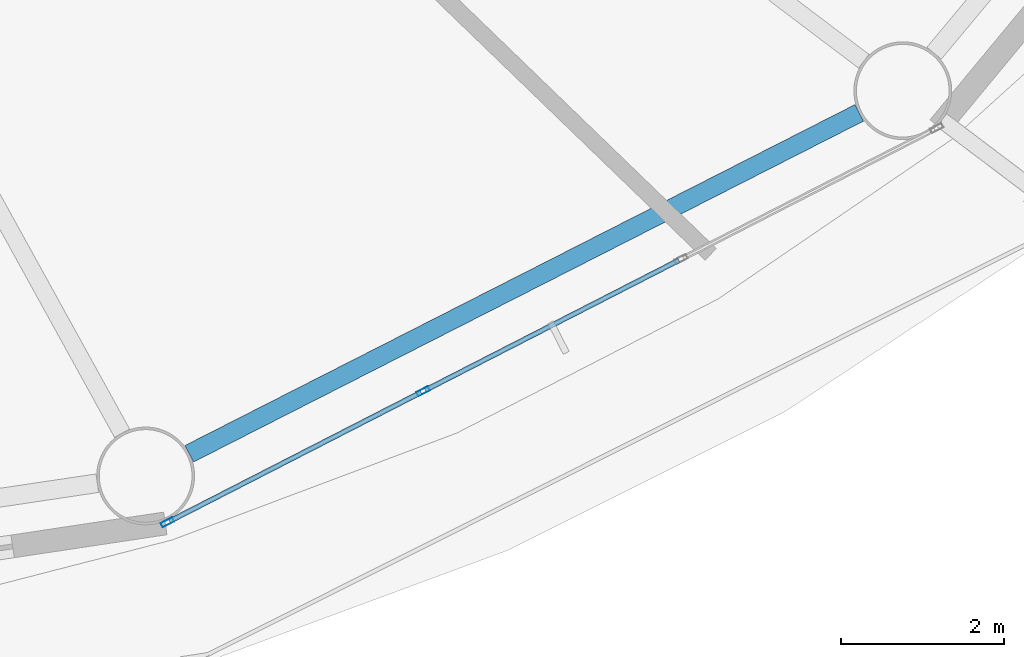
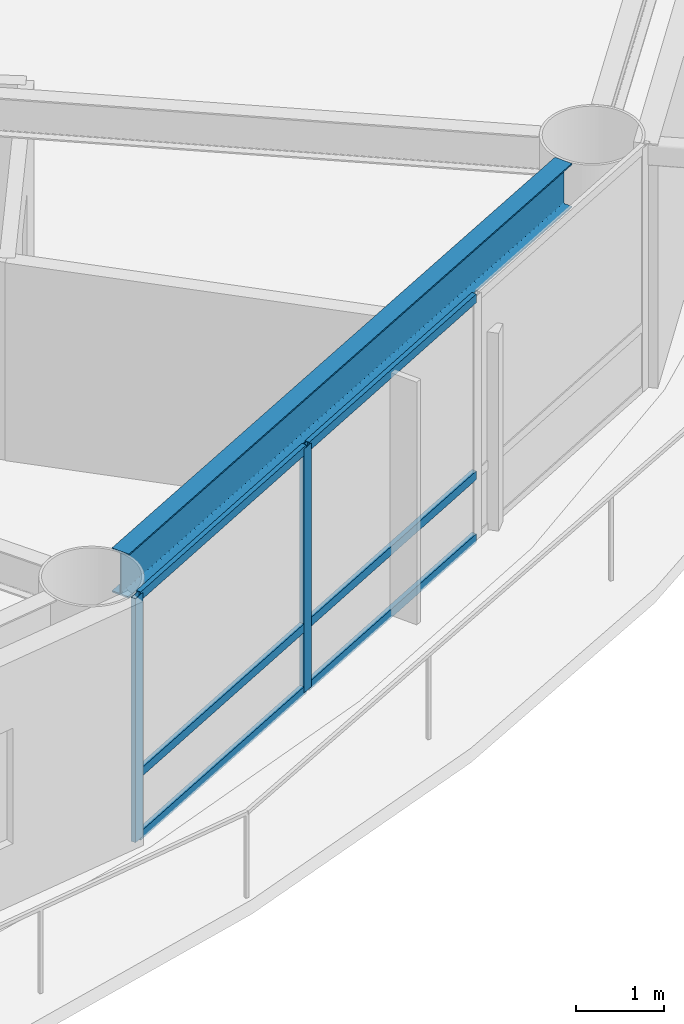
# One storey, part 4 of 24: 8 members, 1 beam, 1 element without a shape of its own.
"""IFC4 building model written with IfcOpenShell, lengths in metres."""

from ifc_helpers import new_model, si_unit, direction, frame, origin, origin_2d, place, context, subcontext, project, spatial, hollow_rectangle, i_section, extrude, material, layer, layer_set, material_profile, profile_set, type_object, element, aggregate, save


model = new_model("IFC4")

# Units and contexts
model_context = context("Model", 3, precision=1e-05, world=origin(), true_north=direction((0.0, 1.0)))
body_context = subcontext(model_context, "Body", "Model", "MODEL_VIEW")
ifc_project = project(units=[si_unit("LENGTHUNIT", "METRE"), si_unit("AREAUNIT", "SQUARE_METRE"), si_unit("VOLUMEUNIT", "CUBIC_METRE"), si_unit("PLANEANGLEUNIT", "RADIAN"), si_unit("MASSUNIT", "GRAM", prefix="KILO")], contexts=[model_context])

# Site, building, storey
site_placement = place(None, origin())
site = spatial("IfcSite", under=ifc_project, at=site_placement, CompositionType="ELEMENT")
building_placement = place(site_placement, origin())
building = spatial("IfcBuilding", under=site, at=building_placement, Name="Sarneth Arch Tower", CompositionType="ELEMENT")
storey_placement = place(building_placement, frame((0.0, 0.0, 102.0)))
storey = spatial("IfcBuildingStorey", under=building, at=storey_placement, Name="L25", CompositionType="ELEMENT", Elevation=102.0)

# Beam
ifc_material_1 = material(Name="Steel S355", Category="steel")
ifc_material_profile_1 = material_profile(ifc_material_1, i_section(OverallWidth=0.22900390625, OverallDepth=0.612060546875, WebThickness=0.011962890625, FlangeThickness=0.01953125, FilletRadius=0.01904296875, at=origin_2d()), Name="W610x125")
ifc_profile_set_1 = profile_set([ifc_material_profile_1], Name="Steel S355")
beam_type = type_object("IfcBeamType", Name="BM-SPAN-610C", PredefinedType="SPANDREL", material=ifc_profile_set_1)
beam_placement = place(storey_placement, frame((59.64501953125, 22.131591796875, 3.073974609375), z_axis=(0.891259443414, 0.453493775619, 0.0), x_axis=(-0.453493775619, 0.891259443414, 0.0)))
element("IfcBeam", 1, at=beam_placement, inside=storey, type_object=beam_type, Name="L25 Perimeter spandrel beam 14", PredefinedType="SPANDREL", context=body_context, shape_type="SweptSolid", body=[
    extrude(i_section(OverallWidth=0.22900390625, OverallDepth=0.612060546875, WebThickness=0.011962890625, FlangeThickness=0.01953125, FilletRadius=0.01904296875, at=origin_2d()), origin(), (0.0, 0.0, 1.0), 9.220458984375),
])

# Curtain wall, members
ifc_material_2 = material(Name="Anodised aluminium Type AA25 and solar-control low-e laminated IGU", Category="aluminium")
ifc_layer = layer(ifc_material_2, 0.159912109375)
ifc_layer_set = layer_set([ifc_layer], Name="Anodised aluminium Type AA25 and solar-control low-e laminated IGU")
curtain_wall_type = type_object("IfcCurtainWallType", Name="CW-HOTEL-MID", PredefinedType="NOTDEFINED", material=ifc_layer_set)
curtain_wall_placement = place(storey_placement, origin())
curtain_wall = element("IfcCurtainWall", 2, at=curtain_wall_placement, inside=storey, type_object=curtain_wall_type, Name="L25 Unitised curtain wall facet 14", PredefinedType="NOTDEFINED")
ifc_material_3 = material(Name="Anodised Aluminium 6063-T6", Category="aluminium")
ifc_material_profile_2 = material_profile(ifc_material_3, hollow_rectangle(XDim=0.06005859375, YDim=0.159912109375, WallThickness=0.00390625, at=origin_2d()), Name="AL-MULL-160x60x4")
ifc_profile_set_2 = profile_set([ifc_material_profile_2], Name="Anodised Aluminium 6063-T6")
member_type_1 = type_object("IfcMemberType", Name="CW-MULLION", PredefinedType="MULLION", material=ifc_profile_set_2)
member_1_placement = place(storey_placement, frame((59.3779296875, 21.291015625, 0.0), z_axis=(0.0, 0.0, 1.0), x_axis=(-0.456031365356, 0.889963703649, 0.0)))
member_1 = element("IfcMember", 3, at=member_1_placement, type_object=member_type_1, Name="CW-SYS-4 mullion 1", PredefinedType="MULLION", context=body_context, shape_type="SweptSolid", body=[
    extrude(hollow_rectangle(XDim=0.06005859375, YDim=0.159912109375, WallThickness=0.00390625, at=origin_2d()), origin(), (0.0, 0.0, 1.0), 3.3798828125),
])
member_2_placement = place(storey_placement, frame((62.51416015625, 22.898193359375, 0.0), z_axis=(0.0, 0.0, 1.0), x_axis=(-0.456031365356, 0.889963703649, 0.0)))
member_2 = element("IfcMember", 4, at=member_2_placement, type_object=member_type_1, Name="CW-SYS-4 mullion 2", PredefinedType="MULLION", context=body_context, shape_type="SweptSolid", body=[
    extrude(hollow_rectangle(XDim=0.06005859375, YDim=0.159912109375, WallThickness=0.00390625, at=origin_2d()), origin(), (0.0, 0.0, 1.0), 3.3798828125),
])
ifc_material_4 = material(Name="Anodised Aluminium 6063-T6", Category="aluminium")
ifc_material_profile_3 = material_profile(ifc_material_4, hollow_rectangle(XDim=0.06005859375, YDim=0.1201171875, WallThickness=0.00390625, at=origin_2d()), Name="AL-TRAN-120x60x4")
ifc_profile_set_3 = profile_set([ifc_material_profile_3], Name="Anodised Aluminium 6063-T6")
member_type_2 = type_object("IfcMemberType", Name="CW-TRANSOM", PredefinedType="USERDEFINED", material=ifc_profile_set_3)
member_3_placement = place(storey_placement, frame((59.404541015625, 21.3046875, 0.030029296875), z_axis=(0.889957563627, 0.456043347658, 0.0), x_axis=(-0.456043347658, 0.889957563627, 0.0)))
member_3 = element("IfcMember", 5, at=member_3_placement, type_object=member_type_2, Name="CW-SYS-4 transom 1.1", ObjectType="TRANSOM", PredefinedType="USERDEFINED", context=body_context, shape_type="SweptSolid", body=[
    extrude(hollow_rectangle(XDim=0.06005859375, YDim=0.1201171875, WallThickness=0.00390625, at=origin_2d()), origin(), (0.0, 0.0, 1.0), 3.464111328125),
])
member_4_placement = place(storey_placement, frame((59.404541015625, 21.3046875, 0.89990234375), z_axis=(0.889957563627, 0.456043347658, 0.0), x_axis=(-0.456043347658, 0.889957563627, 0.0)))
member_4 = element("IfcMember", 6, at=member_4_placement, type_object=member_type_2, Name="CW-SYS-4 transom 1.2", ObjectType="TRANSOM", PredefinedType="USERDEFINED", context=body_context, shape_type="SweptSolid", body=[
    extrude(hollow_rectangle(XDim=0.06005859375, YDim=0.1201171875, WallThickness=0.00390625, at=origin_2d()), origin(), (0.0, 0.0, 1.0), 3.464111328125),
])
member_5_placement = place(storey_placement, frame((59.404541015625, 21.3046875, 3.35009765625), z_axis=(0.889957563627, 0.456043347658, 0.0), x_axis=(-0.456043347658, 0.889957563627, 0.0)))
member_5 = element("IfcMember", 7, at=member_5_placement, type_object=member_type_2, Name="CW-SYS-4 transom 1.3", ObjectType="TRANSOM", PredefinedType="USERDEFINED", context=body_context, shape_type="SweptSolid", body=[
    extrude(hollow_rectangle(XDim=0.06005859375, YDim=0.1201171875, WallThickness=0.00390625, at=origin_2d()), origin(), (0.0, 0.0, 1.0), 3.464111328125),
])
member_6_placement = place(storey_placement, frame((62.540771484375, 22.911865234375, 0.030029296875), z_axis=(0.889981813856, 0.455996020823, 0.0), x_axis=(-0.455996020823, 0.889981813856, 0.0)))
member_6 = element("IfcMember", 8, at=member_6_placement, type_object=member_type_2, Name="CW-SYS-4 transom 2.1", ObjectType="TRANSOM", PredefinedType="USERDEFINED", context=body_context, shape_type="SweptSolid", body=[
    extrude(hollow_rectangle(XDim=0.06005859375, YDim=0.1201171875, WallThickness=0.00390625, at=origin_2d()), origin(), (0.0, 0.0, 1.0), 3.494140625),
])
member_7_placement = place(storey_placement, frame((62.540771484375, 22.911865234375, 0.89990234375), z_axis=(0.889981813856, 0.455996020823, 0.0), x_axis=(-0.455996020823, 0.889981813856, 0.0)))
member_7 = element("IfcMember", 9, at=member_7_placement, type_object=member_type_2, Name="CW-SYS-4 transom 2.2", ObjectType="TRANSOM", PredefinedType="USERDEFINED", context=body_context, shape_type="SweptSolid", body=[
    extrude(hollow_rectangle(XDim=0.06005859375, YDim=0.1201171875, WallThickness=0.00390625, at=origin_2d()), origin(), (0.0, 0.0, 1.0), 3.494140625),
])
member_8_placement = place(storey_placement, frame((62.540771484375, 22.911865234375, 3.35009765625), z_axis=(0.889981813856, 0.455996020823, 0.0), x_axis=(-0.455996020823, 0.889981813856, 0.0)))
member_8 = element("IfcMember", 10, at=member_8_placement, type_object=member_type_2, Name="CW-SYS-4 transom 2.3", ObjectType="TRANSOM", PredefinedType="USERDEFINED", context=body_context, shape_type="SweptSolid", body=[
    extrude(hollow_rectangle(XDim=0.06005859375, YDim=0.1201171875, WallThickness=0.00390625, at=origin_2d()), origin(), (0.0, 0.0, 1.0), 3.494140625),
])
aggregate(curtain_wall, [member_1, member_2, member_3, member_4, member_5, member_6, member_7, member_8])

save(model, "model.ifc")
